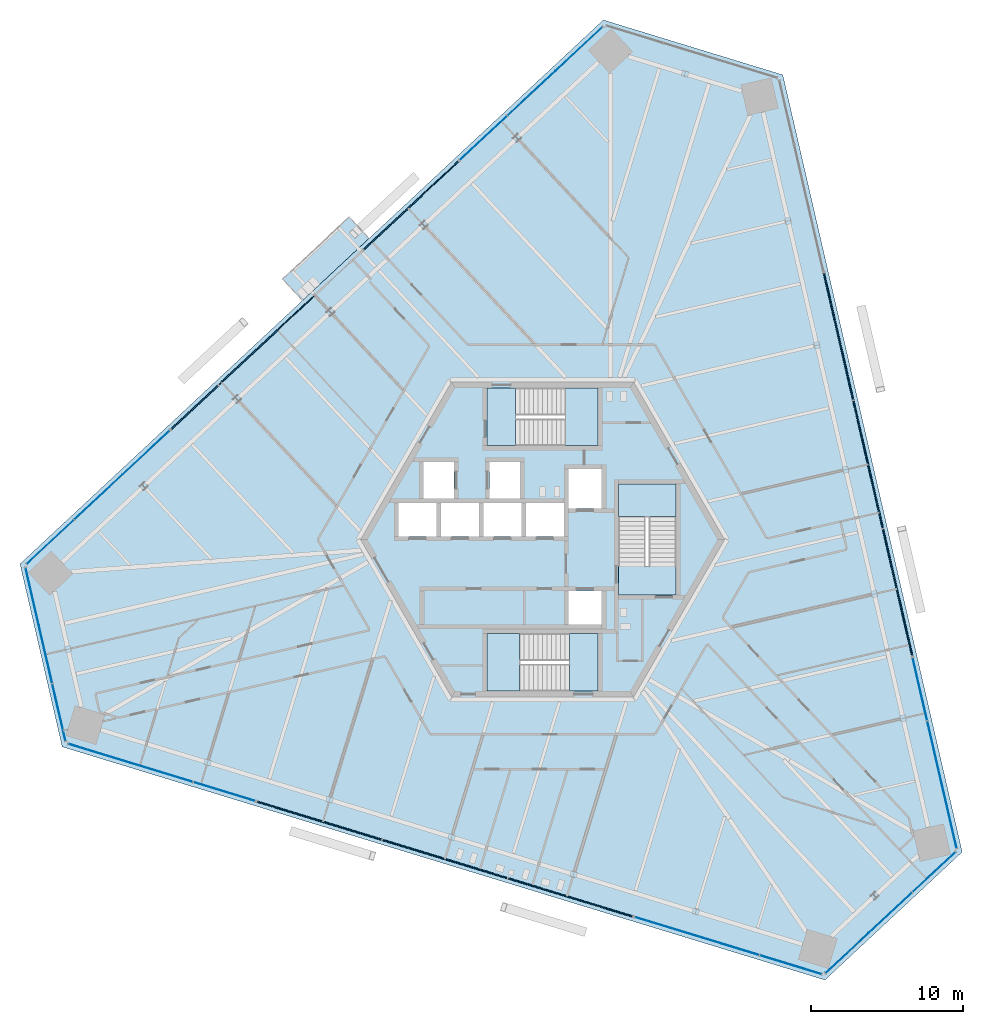
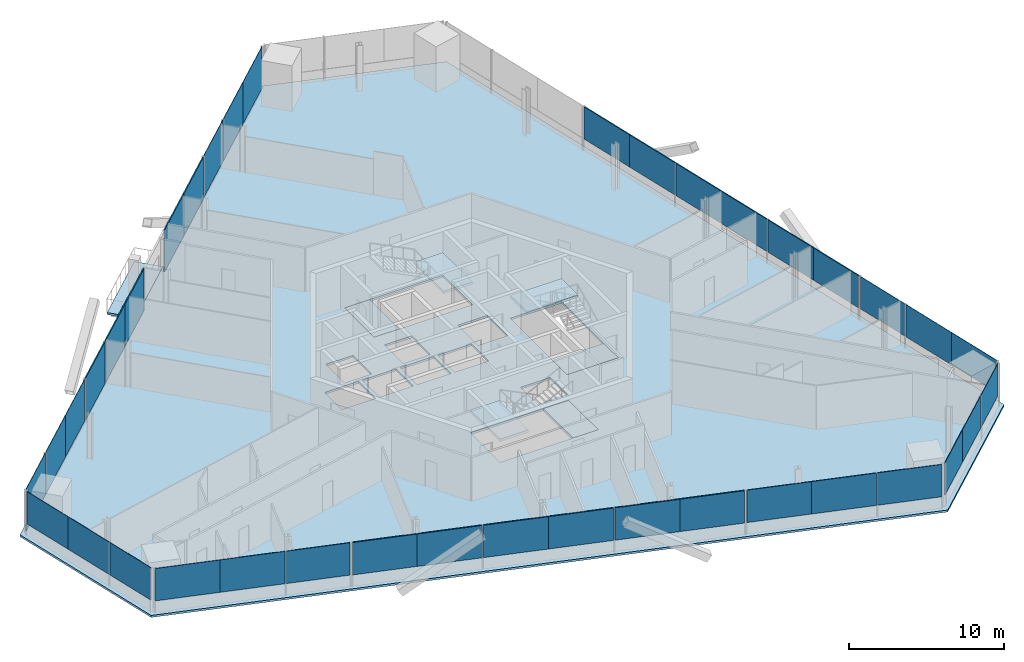
# One storey, part 9 of 19: 38 plates, 8 slabs, 14 elements without a shape of their own.
"""IFC4 building model written with IfcOpenShell, lengths in metres."""

from ifc_helpers import new_model, si_unit, direction, frame, origin, origin_2d, place, context, subcontext, project, spatial, polyline, rectangle, outline, extrude, source, transform, mapped, material, layer, layer_set, type_object, element, aggregate, save


model = new_model("IFC4")

# Units and contexts
model_context = context("Model", 3, precision=1e-05, world=origin(), true_north=direction((0.0, 1.0)))
body_context = subcontext(model_context, "Body", "Model", "MODEL_VIEW")
ifc_project = project(units=[si_unit("LENGTHUNIT", "METRE"), si_unit("AREAUNIT", "SQUARE_METRE"), si_unit("VOLUMEUNIT", "CUBIC_METRE"), si_unit("PLANEANGLEUNIT", "RADIAN"), si_unit("MASSUNIT", "GRAM", prefix="KILO")], contexts=[model_context])

# Site, building, storey
site_placement = place(None, origin())
site = spatial("IfcSite", under=ifc_project, at=site_placement, CompositionType="ELEMENT")
building_placement = place(site_placement, origin())
building = spatial("IfcBuilding", under=site, at=building_placement, Name="Triune Harvest Tower", CompositionType="ELEMENT")
storey_placement = place(building_placement, frame((0.0, 0.0, 109.10009765625)))
storey = spatial("IfcBuildingStorey", under=building, at=storey_placement, Name="L27", CompositionType="ELEMENT", Elevation=109.10009765625)

# Slab
ifc_material_1 = material(Name="Concrete 40 MPa", Category="concrete")
ifc_layer_1 = layer(ifc_material_1, 0.159912109375)
ifc_layer_set_1 = layer_set([ifc_layer_1], Name="Concrete 40 MPa")
slab_type_1 = type_object("IfcSlabType", Name="BA-1 balcony slab 160", PredefinedType="FLOOR", material=ifc_layer_set_1)
slab_1_placement = place(storey_placement, frame((0.0, 0.0, -0.16015625)))
element("IfcSlab", 1, at=slab_1_placement, inside=storey, type_object=slab_type_1, Name="Balcony slab B3-F3 L27.6", PredefinedType="FLOOR", context=body_context, shape_type="SweptSolid", body=[
    extrude(outline(polyline([(-11.439208984375, 19.857421875), (-15.8271484375, 15.765380859375), (-17.144287109375, 17.177978515625), (-12.756103515625, 21.27001953125), (-11.439208984375, 19.857421875)])), origin(), (0.0, 0.0, 1.0), 0.16015625),
])

# Curtain wall, plate
ifc_material_2 = material(Name="Aluminium bronze anodised", Category="aluminium")
curtain_wall_type_1 = type_object("IfcCurtainWallType", Name="CW-6 Balcony window wall", PredefinedType="NOTDEFINED", material=ifc_material_2)
curtain_wall_1_placement = place(storey_placement, origin())
curtain_wall_1 = element("IfcCurtainWall", 2, at=curtain_wall_1_placement, inside=storey, type_object=curtain_wall_type_1, Name="CW-6 B3-F3 L27 run 1")
ifc_material_3 = material(Name="Glass", Category="glass")
ifc_layer_2 = layer(ifc_material_3, 0.030029296875)
ifc_layer_set_2 = layer_set([ifc_layer_2], Name="Glass")
plate_type_1 = type_object("IfcPlateType", Name="GL-6 panel 30", PredefinedType="CURTAIN_PANEL", material=ifc_layer_set_2)
plate_1_placement = place(storey_placement, frame((-3.896240234375, 26.48095703125, 0.14990234375), z_axis=(0.0, 0.0, 1.0), x_axis=(-0.73135509389, -0.681996867032, 0.0)))
plate_1 = element("IfcPlate", 3, at=plate_1_placement, type_object=plate_type_1, Name="CW-6 panel B3-F3 1.3", PredefinedType="CURTAIN_PANEL", context=body_context, shape_type="SweptSolid", body=[
    extrude(rectangle(XDim=4.222900390625, YDim=0.030029296875, at=origin_2d()), origin(), (0.0, 0.0, 1.0), 3.2900390625),
])

# Curtain wall, plates
curtain_wall_2_placement = place(storey_placement, origin())
curtain_wall_2 = element("IfcCurtainWall", 4, at=curtain_wall_2_placement, inside=storey, type_object=curtain_wall_type_1, Name="CW-6 B3-F3 L27 run 1002")
plate_2_placement = place(storey_placement, frame((-29.28466796875, 2.805908203125, 0.14990234375), z_axis=(0.0, 0.0, 1.0), x_axis=(-0.731353611655, -0.681998456537, 0.0)))
plate_2 = element("IfcPlate", 5, at=plate_2_placement, type_object=plate_type_1, Name="CW-6 panel B3-F3 1002.2", PredefinedType="CURTAIN_PANEL", context=body_context, shape_type="SweptSolid", body=[
    extrude(rectangle(XDim=4.30078125, YDim=0.030029296875, at=origin_2d()), origin(), (0.0, 0.0, 1.0), 3.2900390625),
])
plate_3_placement = place(storey_placement, frame((-32.45751953125, -0.15283203125, 0.14990234375), z_axis=(0.0, 0.0, 1.0), x_axis=(-0.731353611655, -0.681998456537, 0.0)))
plate_3 = element("IfcPlate", 6, at=plate_3_placement, type_object=plate_type_1, Name="CW-6 panel B3-F3 1002.3", PredefinedType="CURTAIN_PANEL", context=body_context, shape_type="SweptSolid", body=[
    extrude(rectangle(XDim=4.225830078125, YDim=0.030029296875, at=origin_2d()), origin(), (0.0, 0.0, 1.0), 3.2900390625),
])

# Slab
ifc_material_4 = material(Name="Concrete 40 MPa", Category="concrete")
ifc_layer_3 = layer(ifc_material_4, 0.159912109375)
ifc_layer_set_3 = layer_set([ifc_layer_3], Name="Concrete 40 MPa")
slab_type_2 = type_object("IfcSlabType", Name="SL-1 Composite floor slab 160", PredefinedType="FLOOR", material=ifc_layer_set_3)
shared_shape_1 = source(origin(), body_context, "Body", "SweptSolid", [
    extrude(outline(polyline([(27.666748046875, -20.59765625), (15.83740234375, 30.641357421875), (4.004638671875, 34.2587890625), (-34.454833984375, -1.60498046875), (-31.67138671875, -13.661376953125), (18.617431640625, -29.0361328125), (27.666748046875, -20.59765625)]), holes=[polyline([(-7.0, 0.2099609375), (-7.0, 2.409912109375), (-9.5, 2.409912109375), (-9.5, 0.2099609375), (-7.0, 0.2099609375)]), polyline([(-4.199951171875, 0.2099609375), (-4.199951171875, 2.409912109375), (-6.699951171875, 2.409912109375), (-6.699951171875, 0.2099609375), (-4.199951171875, 0.2099609375)]), polyline([(-1.39990234375, 0.2099609375), (-1.39990234375, 2.409912109375), (-3.89990234375, 2.409912109375), (-3.89990234375, 0.2099609375), (-1.39990234375, 0.2099609375)]), polyline([(1.39990234375, 0.2099609375), (1.39990234375, 2.409912109375), (-1.10009765625, 2.409912109375), (-1.10009765625, 0.2099609375), (1.39990234375, 0.2099609375)]), polyline([(3.89990234375, 2.06005859375), (3.89990234375, 4.659912109375), (1.699951171875, 4.659912109375), (1.699951171875, 2.06005859375), (3.89990234375, 2.06005859375)]), polyline([(3.89990234375, -5.590087890625), (3.89990234375, -3.389892578125), (1.699951171875, -3.389892578125), (1.699951171875, -5.590087890625), (3.89990234375, -5.590087890625)]), polyline([(-5.85009765625, 2.7099609375), (-5.85009765625, 5.110107421875), (-7.85009765625, 5.110107421875), (-7.85009765625, 2.7099609375), (-5.85009765625, 2.7099609375)]), polyline([(-1.5, 2.7099609375), (-1.5, 5.110107421875), (-3.5, 5.110107421875), (-3.5, 2.7099609375), (-1.5, 2.7099609375)]), polyline([(3.64990234375, 6.18994140625), (3.64990234375, 9.989990234375), (-3.64990234375, 9.989990234375), (-3.64990234375, 6.18994140625), (3.64990234375, 6.18994140625)]), polyline([(3.64990234375, -9.989990234375), (3.64990234375, -6.18994140625), (-3.64990234375, -6.18994140625), (-3.64990234375, -9.989990234375), (3.64990234375, -9.989990234375)]), polyline([(8.800048828125, -3.64990234375), (8.800048828125, 3.64990234375), (5.0, 3.64990234375), (5.0, -3.64990234375), (8.800048828125, -3.64990234375)])]), origin(), (0.0, 0.0, 1.0), 0.16015625),
])
slab_2_placement = place(storey_placement, frame((0.0, 0.0, -0.16015625)))
element("IfcSlab", 7, at=slab_2_placement, inside=storey, type_object=slab_type_2, Name="slab/L27/1", PredefinedType="FLOOR", context=body_context, shape_type="MappedRepresentation", body=[
    mapped(shared_shape_1, transform((0.0, 0.0, 0.0), scale=1.0)),
])

# Stair, slabs
ifc_material_5 = material(Name="Concrete 40 MPa", Category="concrete")
stair_type = type_object("IfcStairType", Name="Exit stair 1800 half turn", PredefinedType="HALF_TURN_STAIR", material=ifc_material_5)
stair_1_placement = place(storey_placement, origin())
stair_1 = element("IfcStair", 8, at=stair_1_placement, inside=storey, type_object=stair_type, Name="Exit stair north", PredefinedType="HALF_TURN_STAIR")
ifc_material_6 = material(Name="Concrete 40 MPa", Category="concrete")
ifc_layer_4 = layer(ifc_material_6, 0.199951171875)
ifc_layer_set_4 = layer_set([ifc_layer_4], Name="Concrete 40 MPa")
slab_type_3 = type_object("IfcSlabType", Name="Stair landing 200", PredefinedType="LANDING", material=ifc_layer_set_4)
shared_shape_2 = source(origin(), body_context, "Body", "SweptSolid", [
    extrude(outline(polyline([(1.510009765625, 6.18994140625), (3.64990234375, 6.18994140625), (3.64990234375, 9.989990234375), (1.510009765625, 9.989990234375), (1.510009765625, 6.18994140625)])), origin(), (0.0, 0.0, 1.0), 0.199951171875),
])
slab_3_placement = place(storey_placement, frame((0.0, 0.0, 1.599853515625)))
slab_3 = element("IfcSlab", 9, at=slab_3_placement, type_object=slab_type_3, Name="ST-1 landing 2", PredefinedType="LANDING", context=body_context, shape_type="MappedRepresentation", body=[
    mapped(shared_shape_2, transform((0.0, 0.0, 0.0), scale=1.0)),
])
shared_shape_3 = source(origin(), body_context, "Body", "SweptSolid", [
    extrude(outline(polyline([(-3.64990234375, 6.18994140625), (-1.780029296875, 6.18994140625), (-1.780029296875, 9.989990234375), (-3.64990234375, 9.989990234375), (-3.64990234375, 6.18994140625)])), origin(), (0.0, 0.0, 1.0), 0.2001953125),
])
slab_4_placement = place(storey_placement, frame((0.0, 0.0, -0.2001953125)))
slab_4 = element("IfcSlab", 10, at=slab_4_placement, type_object=slab_type_3, Name="ST-1 landing 1", PredefinedType="LANDING", context=body_context, shape_type="MappedRepresentation", body=[
    mapped(shared_shape_3, transform((0.0, 0.0, 0.0), scale=1.0)),
])
aggregate(stair_1, [slab_4, slab_3])

stair_2_placement = place(storey_placement, origin())
stair_2 = element("IfcStair", 11, at=stair_2_placement, inside=storey, type_object=stair_type, Name="Exit stair south", PredefinedType="HALF_TURN_STAIR")
shared_shape_4 = source(origin(), body_context, "Body", "SweptSolid", [
    extrude(outline(polyline([(-1.510009765625, -6.18994140625), (-3.64990234375, -6.18994140625), (-3.64990234375, -9.989990234375), (-1.510009765625, -9.989990234375), (-1.510009765625, -6.18994140625)])), origin(), (0.0, 0.0, 1.0), 0.199951171875),
])
slab_5_placement = place(storey_placement, frame((0.0, 0.0, 1.599853515625)))
slab_5 = element("IfcSlab", 12, at=slab_5_placement, type_object=slab_type_3, Name="ST-2 landing 2", PredefinedType="LANDING", context=body_context, shape_type="MappedRepresentation", body=[
    mapped(shared_shape_4, transform((0.0, 0.0, 0.0), scale=1.0)),
])
shared_shape_5 = source(origin(), body_context, "Body", "SweptSolid", [
    extrude(outline(polyline([(3.64990234375, -6.18994140625), (1.780029296875, -6.18994140625), (1.780029296875, -9.989990234375), (3.64990234375, -9.989990234375), (3.64990234375, -6.18994140625)])), origin(), (0.0, 0.0, 1.0), 0.2001953125),
])
slab_6_placement = place(storey_placement, frame((0.0, 0.0, -0.2001953125)))
slab_6 = element("IfcSlab", 13, at=slab_6_placement, type_object=slab_type_3, Name="ST-2 landing 1", PredefinedType="LANDING", context=body_context, shape_type="MappedRepresentation", body=[
    mapped(shared_shape_5, transform((0.0, 0.0, 0.0), scale=1.0)),
])
aggregate(stair_2, [slab_6, slab_5])

stair_3_placement = place(storey_placement, origin())
stair_3 = element("IfcStair", 14, at=stair_3_placement, inside=storey, type_object=stair_type, Name="Exit stair east", PredefinedType="HALF_TURN_STAIR")
shared_shape_6 = source(origin(), body_context, "Body", "SweptSolid", [
    extrude(outline(polyline([(8.800048828125, 1.510009765625), (8.800048828125, 3.64990234375), (5.0, 3.64990234375), (5.0, 1.510009765625), (8.800048828125, 1.510009765625)])), origin(), (0.0, 0.0, 1.0), 0.199951171875),
])
slab_7_placement = place(storey_placement, frame((0.0, 0.0, 1.599853515625)))
slab_7 = element("IfcSlab", 15, at=slab_7_placement, type_object=slab_type_3, Name="ST-3 landing 2", PredefinedType="LANDING", context=body_context, shape_type="MappedRepresentation", body=[
    mapped(shared_shape_6, transform((0.0, 0.0, 0.0), scale=1.0)),
])
shared_shape_7 = source(origin(), body_context, "Body", "SweptSolid", [
    extrude(outline(polyline([(8.800048828125, -3.64990234375), (8.800048828125, -1.780029296875), (5.0, -1.780029296875), (5.0, -3.64990234375), (8.800048828125, -3.64990234375)])), origin(), (0.0, 0.0, 1.0), 0.2001953125),
])
slab_8_placement = place(storey_placement, frame((0.0, 0.0, -0.2001953125)))
slab_8 = element("IfcSlab", 16, at=slab_8_placement, type_object=slab_type_3, Name="ST-3 landing 1", PredefinedType="LANDING", context=body_context, shape_type="MappedRepresentation", body=[
    mapped(shared_shape_7, transform((0.0, 0.0, 0.0), scale=1.0)),
])
aggregate(stair_3, [slab_8, slab_7])

# Curtain wall, plate
ifc_material_7 = material(Name="Aluminium bronze anodised", Category="aluminium")
curtain_wall_type_2 = type_object("IfcCurtainWallType", Name="CW-1 Tower stick curtain wall", PredefinedType="NOTDEFINED", material=ifc_material_7)
curtain_wall_3_placement = place(storey_placement, origin())
curtain_wall_3 = element("IfcCurtainWall", 17, at=curtain_wall_3_placement, inside=storey, type_object=curtain_wall_type_2, Name="CW-1 B3-F4 L27 run 1")
ifc_material_8 = material(Name="Glass", Category="glass")
ifc_layer_5 = layer(ifc_material_8, 0.031982421875)
ifc_layer_set_5 = layer_set([ifc_layer_5], Name="Glass")
plate_type_2 = type_object("IfcPlateType", Name="GL-1 panel 32", PredefinedType="CURTAIN_PANEL", material=ifc_layer_set_5)
shared_shape_8 = source(origin(), body_context, "Body", "SweptSolid", [
    extrude(rectangle(XDim=3.8740234375, YDim=0.031982421875, at=origin_2d()), origin(), (0.0, 0.0, 1.0), 2.5400390625),
])
plate_4_placement = place(storey_placement, frame((-33.650634765625, -3.75439453125, 0.89990234375), z_axis=(0.0, 0.0, 1.0), x_axis=(0.224946950683, -0.974371012181, 0.0)))
plate_4 = element("IfcPlate", 18, at=plate_4_placement, type_object=plate_type_2, Name="CW-1 panel B3-F4 1.1", PredefinedType="CURTAIN_PANEL", context=body_context, shape_type="MappedRepresentation", body=[
    mapped(shared_shape_8, transform((0.0, 0.0, 0.0), scale=1.0)),
])

curtain_wall_4_placement = place(storey_placement, origin())
curtain_wall_4 = element("IfcCurtainWall", 19, at=curtain_wall_4_placement, inside=storey, type_object=curtain_wall_type_2, Name="CW-1 B3-F6 L27 run 1")
plate_5_placement = place(storey_placement, frame((20.076904296875, -27.26513671875, 0.89990234375), z_axis=(0.0, 0.0, 1.0), x_axis=(0.731349946151, 0.682002387287, 0.0)))
plate_5 = element("IfcPlate", 20, at=plate_5_placement, type_object=plate_type_2, Name="CW-1 panel B3-F6 1.1", PredefinedType="CURTAIN_PANEL", context=body_context, shape_type="MappedRepresentation", body=[
    mapped(shared_shape_8, transform((0.0, 0.0, 0.0), scale=1.0)),
])

# Plate
shared_shape_9 = source(origin(), body_context, "Body", "SweptSolid", [
    extrude(rectangle(XDim=3.911376953125, YDim=0.031982421875, at=origin_2d()), origin(), (0.0, 0.0, 1.0), 2.5400390625),
])
plate_6_placement = place(storey_placement, frame((-32.77490234375, -7.54736328125, 0.89990234375), z_axis=(0.0, 0.0, 1.0), x_axis=(0.224946950683, -0.974371012181, 0.0)))
plate_6 = element("IfcPlate", 21, at=plate_6_placement, type_object=plate_type_2, Name="CW-1 panel B3-F4 1.2", PredefinedType="CURTAIN_PANEL", context=body_context, shape_type="MappedRepresentation", body=[
    mapped(shared_shape_9, transform((0.0, 0.0, 0.0), scale=1.0)),
])

plate_7_placement = place(storey_placement, frame((22.923828125, -24.6103515625, 0.89990234375), z_axis=(0.0, 0.0, 1.0), x_axis=(0.731349946151, 0.682002387287, 0.0)))
plate_7 = element("IfcPlate", 22, at=plate_7_placement, type_object=plate_type_2, Name="CW-1 panel B3-F6 1.2", PredefinedType="CURTAIN_PANEL", context=body_context, shape_type="MappedRepresentation", body=[
    mapped(shared_shape_9, transform((0.0, 0.0, 0.0), scale=1.0)),
])

shared_shape_10 = source(origin(), body_context, "Body", "SweptSolid", [
    extrude(rectangle(XDim=3.83642578125, YDim=0.031982421875, at=origin_2d()), origin(), (0.0, 0.0, 1.0), 2.5400390625),
])
plate_8_placement = place(storey_placement, frame((-31.88671875, -11.395263671875, 0.89990234375), z_axis=(0.0, 0.0, 1.0), x_axis=(0.224946950683, -0.974371012181, 0.0)))
plate_8 = element("IfcPlate", 23, at=plate_8_placement, type_object=plate_type_2, Name="CW-1 panel B3-F4 1.3", PredefinedType="CURTAIN_PANEL", context=body_context, shape_type="MappedRepresentation", body=[
    mapped(shared_shape_10, transform((0.0, 0.0, 0.0), scale=1.0)),
])

aggregate(curtain_wall_3, [plate_4, plate_6, plate_8])

plate_9_placement = place(storey_placement, frame((25.81201171875, -21.9169921875, 0.89990234375), z_axis=(0.0, 0.0, 1.0), x_axis=(0.731349946151, 0.682002387287, 0.0)))
plate_9 = element("IfcPlate", 24, at=plate_9_placement, type_object=plate_type_2, Name="CW-1 panel B3-F6 1.3", PredefinedType="CURTAIN_PANEL", context=body_context, shape_type="MappedRepresentation", body=[
    mapped(shared_shape_10, transform((0.0, 0.0, 0.0), scale=1.0)),
])

aggregate(curtain_wall_4, [plate_5, plate_7, plate_9])

# Curtain wall, plates
ifc_material_9 = material(Name="Aluminium bronze anodised", Category="aluminium")
curtain_wall_type_3 = type_object("IfcCurtainWallType", Name="CW-7 Tower stick curtain wall with insulated spandrel infill", PredefinedType="NOTDEFINED", material=ifc_material_9)
curtain_wall_5_placement = place(storey_placement, origin())
curtain_wall_5 = element("IfcCurtainWall", 25, at=curtain_wall_5_placement, inside=storey, type_object=curtain_wall_type_3, Name="CW-7 B3-F1 L27 run 1001")
ifc_material_10 = material(Name="Insulated spandrel panel, bronze aluminium pan", Category="aluminium")
ifc_layer_6 = layer(ifc_material_10, 0.080078125)
ifc_layer_set_6 = layer_set([ifc_layer_6], Name="Insulated spandrel panel, bronze aluminium pan")
plate_type_3 = type_object("IfcPlateType", Name="SP-1 insulated spandrel panel 80", PredefinedType="CURTAIN_PANEL", material=ifc_layer_set_6)
shared_shape_11 = source(origin(), body_context, "Body", "SweptSolid", [
    extrude(rectangle(XDim=4.263427734375, YDim=0.080078125, at=origin_2d()), origin(), (0.0, 0.0, 1.0), 2.5400390625),
])
plate_10_placement = place(storey_placement, frame((23.89111328125, -5.576904296875, 0.89990234375), z_axis=(0.0, 0.0, 1.0), x_axis=(-0.22495153415, 0.974369954013, 0.0)))
plate_10 = element("IfcPlate", 26, at=plate_10_placement, type_object=plate_type_3, Name="CW-7 panel B3-F1 1001.1", PredefinedType="CURTAIN_PANEL", context=body_context, shape_type="MappedRepresentation", body=[
    mapped(shared_shape_11, transform((0.0, 0.0, 0.0), scale=1.0)),
])
plate_11_placement = place(storey_placement, frame((19.0283203125, 15.485595703125, 0.89990234375), z_axis=(0.0, 0.0, 1.0), x_axis=(-0.22495153415, 0.974369954013, 0.0)))
plate_11 = element("IfcPlate", 27, at=plate_11_placement, type_object=plate_type_3, Name="CW-7 panel B3-F1 1001.6", PredefinedType="CURTAIN_PANEL", context=body_context, shape_type="MappedRepresentation", body=[
    mapped(shared_shape_11, transform((0.0, 0.0, 0.0), scale=1.0)),
])

curtain_wall_6_placement = place(storey_placement, origin())
curtain_wall_6 = element("IfcCurtainWall", 28, at=curtain_wall_6_placement, inside=storey, type_object=curtain_wall_type_3, Name="CW-7 B3-F5 L27 run 1001")
plate_12_placement = place(storey_placement, frame((-16.775390625, -17.90185546875, 0.89990234375), z_axis=(0.0, 0.0, 1.0), x_axis=(0.956304349234, -0.292373035069, 0.0)))
plate_12 = element("IfcPlate", 29, at=plate_12_placement, type_object=plate_type_3, Name="CW-7 panel B3-F5 1001.1", PredefinedType="CURTAIN_PANEL", context=body_context, shape_type="MappedRepresentation", body=[
    mapped(shared_shape_11, transform((0.0, 0.0, 0.0), scale=1.0)),
])
plate_13_placement = place(storey_placement, frame((3.896728515625, -24.221923828125, 0.89990234375), z_axis=(0.0, 0.0, 1.0), x_axis=(0.956304349234, -0.292373035069, 0.0)))
plate_13 = element("IfcPlate", 30, at=plate_13_placement, type_object=plate_type_3, Name="CW-7 panel B3-F5 1001.6", PredefinedType="CURTAIN_PANEL", context=body_context, shape_type="MappedRepresentation", body=[
    mapped(shared_shape_11, transform((0.0, 0.0, 0.0), scale=1.0)),
])

# Plate
shared_shape_12 = source(origin(), body_context, "Body", "SweptSolid", [
    extrude(rectangle(XDim=4.30078125, YDim=0.080078125, at=origin_2d()), origin(), (0.0, 0.0, 1.0), 2.5400390625),
])
plate_14_placement = place(storey_placement, frame((22.927734375, -1.404541015625, 0.89990234375), z_axis=(0.0, 0.0, 1.0), x_axis=(-0.22495153415, 0.974369954013, 0.0)))
plate_14 = element("IfcPlate", 31, at=plate_14_placement, type_object=plate_type_3, Name="CW-7 panel B3-F1 1001.2", PredefinedType="CURTAIN_PANEL", context=body_context, shape_type="MappedRepresentation", body=[
    mapped(shared_shape_12, transform((0.0, 0.0, 0.0), scale=1.0)),
])

plate_15_placement = place(storey_placement, frame((21.943603515625, 2.859130859375, 0.89990234375), z_axis=(0.0, 0.0, 1.0), x_axis=(-0.22495153415, 0.974369954013, 0.0)))
plate_15 = element("IfcPlate", 32, at=plate_15_placement, type_object=plate_type_3, Name="CW-7 panel B3-F1 1001.3", PredefinedType="CURTAIN_PANEL", context=body_context, shape_type="MappedRepresentation", body=[
    mapped(shared_shape_12, transform((0.0, 0.0, 0.0), scale=1.0)),
])

plate_16_placement = place(storey_placement, frame((20.97607421875, 7.049560546875, 0.89990234375), z_axis=(0.0, 0.0, 1.0), x_axis=(-0.22495153415, 0.974369954013, 0.0)))
plate_16 = element("IfcPlate", 33, at=plate_16_placement, type_object=plate_type_3, Name="CW-7 panel B3-F1 1001.4", PredefinedType="CURTAIN_PANEL", context=body_context, shape_type="MappedRepresentation", body=[
    mapped(shared_shape_12, transform((0.0, 0.0, 0.0), scale=1.0)),
])

plate_17_placement = place(storey_placement, frame((19.99169921875, 11.313232421875, 0.89990234375), z_axis=(0.0, 0.0, 1.0), x_axis=(-0.22495153415, 0.974369954013, 0.0)))
plate_17 = element("IfcPlate", 34, at=plate_17_placement, type_object=plate_type_3, Name="CW-7 panel B3-F1 1001.5", PredefinedType="CURTAIN_PANEL", context=body_context, shape_type="MappedRepresentation", body=[
    mapped(shared_shape_12, transform((0.0, 0.0, 0.0), scale=1.0)),
])

aggregate(curtain_wall_5, [plate_10, plate_14, plate_15, plate_16, plate_17, plate_11])

plate_18_placement = place(storey_placement, frame((-12.680419921875, -19.15380859375, 0.89990234375), z_axis=(0.0, 0.0, 1.0), x_axis=(0.956304349234, -0.292373035069, 0.0)))
plate_18 = element("IfcPlate", 35, at=plate_18_placement, type_object=plate_type_3, Name="CW-7 panel B3-F5 1001.2", PredefinedType="CURTAIN_PANEL", context=body_context, shape_type="MappedRepresentation", body=[
    mapped(shared_shape_12, transform((0.0, 0.0, 0.0), scale=1.0)),
])

plate_19_placement = place(storey_placement, frame((-8.49560546875, -20.43310546875, 0.89990234375), z_axis=(0.0, 0.0, 1.0), x_axis=(0.956304349234, -0.292373035069, 0.0)))
plate_19 = element("IfcPlate", 36, at=plate_19_placement, type_object=plate_type_3, Name="CW-7 panel B3-F5 1001.3", PredefinedType="CURTAIN_PANEL", context=body_context, shape_type="MappedRepresentation", body=[
    mapped(shared_shape_12, transform((0.0, 0.0, 0.0), scale=1.0)),
])

plate_20_placement = place(storey_placement, frame((-4.3828125, -21.690673828125, 0.89990234375), z_axis=(0.0, 0.0, 1.0), x_axis=(0.956304349234, -0.292373035069, 0.0)))
plate_20 = element("IfcPlate", 37, at=plate_20_placement, type_object=plate_type_3, Name="CW-7 panel B3-F5 1001.4", PredefinedType="CURTAIN_PANEL", context=body_context, shape_type="MappedRepresentation", body=[
    mapped(shared_shape_12, transform((0.0, 0.0, 0.0), scale=1.0)),
])

plate_21_placement = place(storey_placement, frame((-0.1982421875, -22.969970703125, 0.89990234375), z_axis=(0.0, 0.0, 1.0), x_axis=(0.956304349234, -0.292373035069, 0.0)))
plate_21 = element("IfcPlate", 38, at=plate_21_placement, type_object=plate_type_3, Name="CW-7 panel B3-F5 1001.5", PredefinedType="CURTAIN_PANEL", context=body_context, shape_type="MappedRepresentation", body=[
    mapped(shared_shape_12, transform((0.0, 0.0, 0.0), scale=1.0)),
])

aggregate(curtain_wall_6, [plate_12, plate_18, plate_19, plate_20, plate_21, plate_13])

# Curtain wall, plate
curtain_wall_7_placement = place(storey_placement, origin())
curtain_wall_7 = element("IfcCurtainWall", 39, at=curtain_wall_7_placement, inside=storey, type_object=curtain_wall_type_2, Name="CW-1 B3-F1 L27 run 1")
shared_shape_13 = source(origin(), body_context, "Body", "SweptSolid", [
    extrude(rectangle(XDim=4.263427734375, YDim=0.031982421875, at=origin_2d()), origin(), (0.0, 0.0, 1.0), 2.5400390625),
])
plate_22_placement = place(storey_placement, frame((26.81884765625, -18.258544921875, 0.89990234375), z_axis=(0.0, 0.0, 1.0), x_axis=(-0.22495089959, 0.974370100513, 0.0)))
plate_22 = element("IfcPlate", 40, at=plate_22_placement, type_object=plate_type_2, Name="CW-1 panel B3-F1 1.1", PredefinedType="CURTAIN_PANEL", context=body_context, shape_type="MappedRepresentation", body=[
    mapped(shared_shape_13, transform((0.0, 0.0, 0.0), scale=1.0)),
])

curtain_wall_8_placement = place(storey_placement, origin())
curtain_wall_8 = element("IfcCurtainWall", 41, at=curtain_wall_8_placement, inside=storey, type_object=curtain_wall_type_2, Name="CW-1 B3-F5 L27 run 1")
plate_23_placement = place(storey_placement, frame((-29.2216796875, -14.096435546875, 0.89990234375), z_axis=(0.0, 0.0, 1.0), x_axis=(0.956304110088, -0.292373817276, 0.0)))
plate_23 = element("IfcPlate", 42, at=plate_23_placement, type_object=plate_type_2, Name="CW-1 panel B3-F5 1.1", PredefinedType="CURTAIN_PANEL", context=body_context, shape_type="MappedRepresentation", body=[
    mapped(shared_shape_13, transform((0.0, 0.0, 0.0), scale=1.0)),
])

curtain_wall_9_placement = place(storey_placement, origin())
curtain_wall_9 = element("IfcCurtainWall", 43, at=curtain_wall_9_placement, inside=storey, type_object=curtain_wall_type_2, Name="CW-1 B3-F5 L27 run 2001")
plate_24_placement = place(storey_placement, frame((8.117431640625, -25.51220703125, 0.89990234375), z_axis=(0.0, 0.0, 1.0), x_axis=(0.956304110088, -0.292373817276, 0.0)))
plate_24 = element("IfcPlate", 44, at=plate_24_placement, type_object=plate_type_2, Name="CW-1 panel B3-F5 2001.1", PredefinedType="CURTAIN_PANEL", context=body_context, shape_type="MappedRepresentation", body=[
    mapped(shared_shape_13, transform((0.0, 0.0, 0.0), scale=1.0)),
])

# Plate
shared_shape_14 = source(origin(), body_context, "Body", "SweptSolid", [
    extrude(rectangle(XDim=4.30078125, YDim=0.031982421875, at=origin_2d()), origin(), (0.0, 0.0, 1.0), 2.5400390625),
])
plate_25_placement = place(storey_placement, frame((25.855712890625, -14.086181640625, 0.89990234375), z_axis=(0.0, 0.0, 1.0), x_axis=(-0.22495089959, 0.974370100513, 0.0)))
plate_25 = element("IfcPlate", 45, at=plate_25_placement, type_object=plate_type_2, Name="CW-1 panel B3-F1 1.2", PredefinedType="CURTAIN_PANEL", context=body_context, shape_type="MappedRepresentation", body=[
    mapped(shared_shape_14, transform((0.0, 0.0, 0.0), scale=1.0)),
])

plate_26_placement = place(storey_placement, frame((-25.126708984375, -15.348388671875, 0.89990234375), z_axis=(0.0, 0.0, 1.0), x_axis=(0.956304110088, -0.292373817276, 0.0)))
plate_26 = element("IfcPlate", 46, at=plate_26_placement, type_object=plate_type_2, Name="CW-1 panel B3-F5 1.2", PredefinedType="CURTAIN_PANEL", context=body_context, shape_type="MappedRepresentation", body=[
    mapped(shared_shape_14, transform((0.0, 0.0, 0.0), scale=1.0)),
])

plate_27_placement = place(storey_placement, frame((12.21240234375, -26.76416015625, 0.89990234375), z_axis=(0.0, 0.0, 1.0), x_axis=(0.956304110088, -0.292373817276, 0.0)))
plate_27 = element("IfcPlate", 47, at=plate_27_placement, type_object=plate_type_2, Name="CW-1 panel B3-F5 2001.2", PredefinedType="CURTAIN_PANEL", context=body_context, shape_type="MappedRepresentation", body=[
    mapped(shared_shape_14, transform((0.0, 0.0, 0.0), scale=1.0)),
])

shared_shape_15 = source(origin(), body_context, "Body", "SweptSolid", [
    extrude(rectangle(XDim=4.225830078125, YDim=0.031982421875, at=origin_2d()), origin(), (0.0, 0.0, 1.0), 2.5400390625),
])
plate_28_placement = place(storey_placement, frame((24.879638671875, -9.85888671875, 0.89990234375), z_axis=(0.0, 0.0, 1.0), x_axis=(-0.22495089959, 0.974370100513, 0.0)))
plate_28 = element("IfcPlate", 48, at=plate_28_placement, type_object=plate_type_2, Name="CW-1 panel B3-F1 1.3", PredefinedType="CURTAIN_PANEL", context=body_context, shape_type="MappedRepresentation", body=[
    mapped(shared_shape_15, transform((0.0, 0.0, 0.0), scale=1.0)),
])

aggregate(curtain_wall_7, [plate_22, plate_25, plate_28])

plate_29_placement = place(storey_placement, frame((-20.97802734375, -16.616943359375, 0.89990234375), z_axis=(0.0, 0.0, 1.0), x_axis=(0.956304110088, -0.292373817276, 0.0)))
plate_29 = element("IfcPlate", 49, at=plate_29_placement, type_object=plate_type_2, Name="CW-1 panel B3-F5 1.3", PredefinedType="CURTAIN_PANEL", context=body_context, shape_type="MappedRepresentation", body=[
    mapped(shared_shape_15, transform((0.0, 0.0, 0.0), scale=1.0)),
])

aggregate(curtain_wall_8, [plate_23, plate_26, plate_29])

plate_30_placement = place(storey_placement, frame((16.361083984375, -28.03271484375, 0.89990234375), z_axis=(0.0, 0.0, 1.0), x_axis=(0.956304110088, -0.292373817276, 0.0)))
plate_30 = element("IfcPlate", 50, at=plate_30_placement, type_object=plate_type_2, Name="CW-1 panel B3-F5 2001.3", PredefinedType="CURTAIN_PANEL", context=body_context, shape_type="MappedRepresentation", body=[
    mapped(shared_shape_15, transform((0.0, 0.0, 0.0), scale=1.0)),
])

aggregate(curtain_wall_9, [plate_24, plate_27, plate_30])

shared_shape_16 = source(origin(), body_context, "Body", "SweptSolid", [
    extrude(rectangle(XDim=4.26025390625, YDim=0.030029296875, at=origin_2d()), origin(), (0.0, 0.0, 1.0), 3.2900390625),
])
plate_31_placement = place(storey_placement, frame((2.404052734375, 32.356201171875, 0.14990234375), z_axis=(0.0, 0.0, 1.0), x_axis=(-0.73135509389, -0.681996867032, 0.0)))
plate_31 = element("IfcPlate", 51, at=plate_31_placement, type_object=plate_type_1, Name="CW-6 panel B3-F3 1.1", PredefinedType="CURTAIN_PANEL", context=body_context, shape_type="MappedRepresentation", body=[
    mapped(shared_shape_16, transform((0.0, 0.0, 0.0), scale=1.0)),
])

shared_shape_17 = source(origin(), body_context, "Body", "SweptSolid", [
    extrude(rectangle(XDim=4.2978515625, YDim=0.030029296875, at=origin_2d()), origin(), (0.0, 0.0, 1.0), 3.2900390625),
])
plate_32_placement = place(storey_placement, frame((-0.7255859375, 29.437744140625, 0.14990234375), z_axis=(0.0, 0.0, 1.0), x_axis=(-0.73135509389, -0.681996867032, 0.0)))
plate_32 = element("IfcPlate", 52, at=plate_32_placement, type_object=plate_type_1, Name="CW-6 panel B3-F3 1.2", PredefinedType="CURTAIN_PANEL", context=body_context, shape_type="MappedRepresentation", body=[
    mapped(shared_shape_17, transform((0.0, 0.0, 0.0), scale=1.0)),
])

aggregate(curtain_wall_1, [plate_31, plate_32, plate_1])

# Curtain wall, plates
ifc_material_11 = material(Name="Aluminium bronze anodised", Category="aluminium")
curtain_wall_type_4 = type_object("IfcCurtainWallType", Name="CW-10 Balcony window wall with insulated spandrel infill", PredefinedType="NOTDEFINED", material=ifc_material_11)
curtain_wall_10_placement = place(storey_placement, origin())
curtain_wall_10 = element("IfcCurtainWall", 53, at=curtain_wall_10_placement, inside=storey, type_object=curtain_wall_type_4, Name="CW-10 B3-F3 L27 run 1001")
shared_shape_18 = source(origin(), body_context, "Body", "SweptSolid", [
    extrude(rectangle(XDim=4.26025390625, YDim=0.080078125, at=origin_2d()), origin(), (0.0, 0.0, 1.0), 3.2900390625),
])
plate_33_placement = place(storey_placement, frame((-7.108154296875, 23.486083984375, 0.14990234375), z_axis=(0.0, 0.0, 1.0), x_axis=(-0.731350768982, -0.682001504917, 0.0)))
plate_33 = element("IfcPlate", 54, at=plate_33_placement, type_object=plate_type_3, Name="CW-10 panel B3-F3 1001.1", PredefinedType="CURTAIN_PANEL", context=body_context, shape_type="MappedRepresentation", body=[
    mapped(shared_shape_18, transform((0.0, 0.0, 0.0), scale=1.0)),
])
plate_34_placement = place(storey_placement, frame((-10.223876953125, 20.580322265625, 0.14990234375), z_axis=(0.0, 0.0, 1.0), x_axis=(-0.731350768982, -0.682001504917, 0.0)))
plate_34 = element("IfcPlate", 55, at=plate_34_placement, type_object=plate_type_3, Name="CW-10 panel B3-F3 1001.2", PredefinedType="CURTAIN_PANEL", context=body_context, shape_type="MappedRepresentation", body=[
    mapped(shared_shape_18, transform((0.0, 0.0, 0.0), scale=1.0)),
])
aggregate(curtain_wall_10, [plate_33, plate_34])

curtain_wall_11_placement = place(storey_placement, origin())
curtain_wall_11 = element("IfcCurtainWall", 56, at=curtain_wall_11_placement, inside=storey, type_object=curtain_wall_type_4, Name="CW-10 B3-F3 L27 run 2")
shared_shape_19 = source(origin(), body_context, "Body", "SweptSolid", [
    extrude(rectangle(XDim=4.263427734375, YDim=0.080078125, at=origin_2d()), origin(), (0.0, 0.0, 1.0), 3.2900390625),
])
plate_35_placement = place(storey_placement, frame((-16.63427734375, 14.6025390625, 0.14990234375), z_axis=(0.0, 0.0, 1.0), x_axis=(-0.731353116224, -0.681998987822, 0.0)))
plate_35 = element("IfcPlate", 57, at=plate_35_placement, type_object=plate_type_3, Name="CW-10 panel B3-F3 2.1", PredefinedType="CURTAIN_PANEL", context=body_context, shape_type="MappedRepresentation", body=[
    mapped(shared_shape_19, transform((0.0, 0.0, 0.0), scale=1.0)),
])
shared_shape_20 = source(origin(), body_context, "Body", "SweptSolid", [
    extrude(rectangle(XDim=4.30078125, YDim=0.080078125, at=origin_2d()), origin(), (0.0, 0.0, 1.0), 3.2900390625),
])
plate_36_placement = place(storey_placement, frame((-19.76611328125, 11.68212890625, 0.14990234375), z_axis=(0.0, 0.0, 1.0), x_axis=(-0.731353116224, -0.681998987822, 0.0)))
plate_36 = element("IfcPlate", 58, at=plate_36_placement, type_object=plate_type_3, Name="CW-10 panel B3-F3 2.2", PredefinedType="CURTAIN_PANEL", context=body_context, shape_type="MappedRepresentation", body=[
    mapped(shared_shape_20, transform((0.0, 0.0, 0.0), scale=1.0)),
])
shared_shape_21 = source(origin(), body_context, "Body", "SweptSolid", [
    extrude(rectangle(XDim=4.225830078125, YDim=0.080078125, at=origin_2d()), origin(), (0.0, 0.0, 1.0), 3.2900390625),
])
plate_37_placement = place(storey_placement, frame((-22.93896484375, 8.723388671875, 0.14990234375), z_axis=(0.0, 0.0, 1.0), x_axis=(-0.731353116224, -0.681998987822, 0.0)))
plate_37 = element("IfcPlate", 59, at=plate_37_placement, type_object=plate_type_3, Name="CW-10 panel B3-F3 2.3", PredefinedType="CURTAIN_PANEL", context=body_context, shape_type="MappedRepresentation", body=[
    mapped(shared_shape_21, transform((0.0, 0.0, 0.0), scale=1.0)),
])
aggregate(curtain_wall_11, [plate_35, plate_36, plate_37])

# Plate
shared_shape_22 = source(origin(), body_context, "Body", "SweptSolid", [
    extrude(rectangle(XDim=4.263427734375, YDim=0.030029296875, at=origin_2d()), origin(), (0.0, 0.0, 1.0), 3.2900390625),
])
plate_38_placement = place(storey_placement, frame((-26.153076171875, 5.726318359375, 0.14990234375), z_axis=(0.0, 0.0, 1.0), x_axis=(-0.731353611655, -0.681998456537, 0.0)))
plate_38 = element("IfcPlate", 60, at=plate_38_placement, type_object=plate_type_1, Name="CW-6 panel B3-F3 1002.1", PredefinedType="CURTAIN_PANEL", context=body_context, shape_type="MappedRepresentation", body=[
    mapped(shared_shape_22, transform((0.0, 0.0, 0.0), scale=1.0)),
])

aggregate(curtain_wall_2, [plate_38, plate_2, plate_3])

save(model, "model.ifc")
